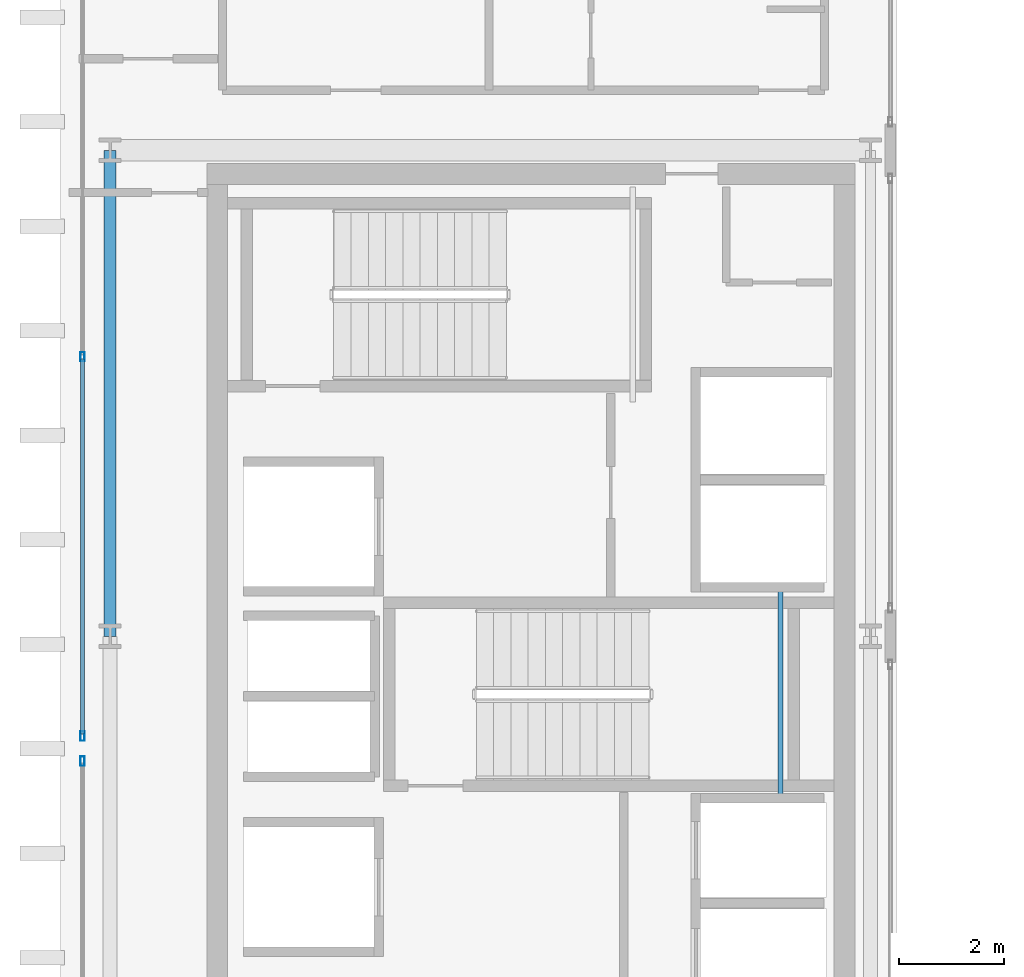
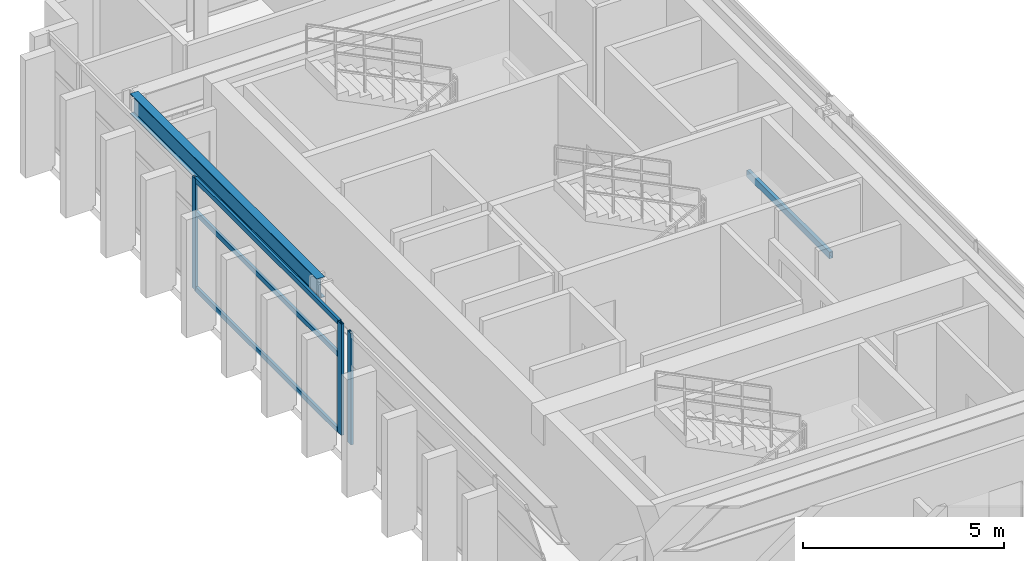
# One storey, part 5 of 25: 6 members, 2 beams, 2 elements without a shape of their own.
"""IFC4 building model written with IfcOpenShell, lengths in metres."""

from ifc_helpers import new_model, si_unit, direction, frame, origin, origin_2d, place, context, subcontext, project, spatial, hollow_rectangle, i_section, extrude, source, transform, mapped, material, layer, layer_set, material_profile, profile_set, type_object, element, aggregate, save


model = new_model("IFC4")

# Units and contexts
model_context = context("Model", 3, precision=1e-05, world=origin(), true_north=direction((0.0, 1.0)))
body_context = subcontext(model_context, "Body", "Model", "MODEL_VIEW")
ifc_project = project(units=[si_unit("LENGTHUNIT", "METRE"), si_unit("AREAUNIT", "SQUARE_METRE"), si_unit("VOLUMEUNIT", "CUBIC_METRE"), si_unit("PLANEANGLEUNIT", "RADIAN"), si_unit("MASSUNIT", "GRAM", prefix="KILO")], contexts=[model_context])

# Site, building, storey
site_placement = place(None, origin())
site = spatial("IfcSite", under=ifc_project, at=site_placement, CompositionType="ELEMENT")
building_placement = place(site_placement, origin())
building = spatial("IfcBuilding", under=site, at=building_placement, Name="Ocotamira Hotel", CompositionType="ELEMENT")
storey_placement = place(building_placement, frame((0.0, 0.0, 261.60009765625)))
storey = spatial("IfcBuildingStorey", under=building, at=storey_placement, Name="L66", CompositionType="ELEMENT", Elevation=261.60009765625)

# Beams
ifc_material_1 = material(Name="Steel ASTM A500 Grade C", Category="steel")
ifc_material_profile_1 = material_profile(ifc_material_1, hollow_rectangle(XDim=0.10009765625, YDim=0.199951171875, WallThickness=0.008056640625, at=origin_2d()), Name="HSS200X100X8")
ifc_profile_set_1 = profile_set([ifc_material_profile_1], Name="Steel ASTM A500 Grade C")
beam_type_1 = type_object("IfcBeamType", Name="BM-STLDG-HSS200", PredefinedType="BEAM", material=ifc_profile_set_1)
shared_shape_1 = source(origin(), body_context, "Body", "SweptSolid", [
    extrude(hollow_rectangle(XDim=0.10009765625, YDim=0.199951171875, WallThickness=0.008056640625, at=origin_2d()), origin(), (0.0, 0.0, 1.0), 4.1201171875),
])
beam_1_placement = place(storey_placement, frame((21.780029296875, 24.97998046875, 1.5), z_axis=(0.0, 1.0, 0.0), x_axis=(-1.0, 0.0, 0.0)))
element("IfcBeam", 1, at=beam_1_placement, inside=storey, type_object=beam_type_1, Name="L66 Stair ST-3 Landing Bearer 1", PredefinedType="BEAM", context=body_context, shape_type="MappedRepresentation", body=[
    mapped(shared_shape_1, transform((0.0, 0.0, 0.0), scale=1.0)),
])
ifc_material_2 = material(Name="Steel ASTM A992 Grade 50", Category="steel")
ifc_material_profile_2 = material_profile(ifc_material_2, i_section(OverallWidth=0.22998046875, OverallDepth=0.616943359375, WebThickness=0.01318359375, FlangeThickness=0.022216796875, FilletRadius=0.012939453125, at=origin_2d()), Name="W24X94")
ifc_profile_set_2 = profile_set([ifc_material_profile_2], Name="Steel ASTM A992 Grade 50")
beam_type_2 = type_object("IfcBeamType", Name="BM-PRIM-W24X94", PredefinedType="BEAM", material=ifc_profile_set_2)
shared_shape_2 = source(origin(), body_context, "Body", "SweptSolid", [
    extrude(i_section(OverallWidth=0.22998046875, OverallDepth=0.616943359375, WebThickness=0.01318359375, FlangeThickness=0.022216796875, FilletRadius=0.012939453125, at=origin_2d()), origin(), (0.0, 0.0, 1.0), 9.300048828125),
])
beam_2_placement = place(storey_placement, frame((8.949951171875, 28.14990234375, 3.0712890625), z_axis=(0.0, 1.0, 0.0), x_axis=(-1.0, 0.0, 0.0)))
element("IfcBeam", 2, at=beam_2_placement, inside=storey, type_object=beam_type_2, Name="L66 Beam X8.95 Y28.15-37.45", PredefinedType="BEAM", context=body_context, shape_type="MappedRepresentation", body=[
    mapped(shared_shape_2, transform((0.0, 0.0, 0.0), scale=1.0)),
])

# Curtain wall, member
ifc_material_3 = material(Name="Anodised pale-metal aluminium and solar glass", Category="aluminium")
ifc_layer = layer(ifc_material_3, 0.2099609375)
ifc_layer_set = layer_set([ifc_layer], Name="Anodised pale-metal aluminium and solar glass")
curtain_wall_type = type_object("IfcCurtainWallType", Name="CW-SYS7-PEAK", PredefinedType="NOTDEFINED", material=ifc_layer_set)
curtain_wall_1_placement = place(storey_placement, origin())
curtain_wall_1 = element("IfcCurtainWall", 3, at=curtain_wall_1_placement, inside=storey, type_object=curtain_wall_type, Name="L66 Curtain Wall CW-7 CW-L66-WO1", PredefinedType="NOTDEFINED")
ifc_material_4 = material(Name="Anodised pale-metal aluminium 6063-T6", Category="aluminium")
ifc_material_profile_3 = material_profile(ifc_material_4, hollow_rectangle(XDim=0.080078125, YDim=0.179931640625, WallThickness=0.006103515625, at=origin_2d()), Name="HSS180X80X6")
ifc_profile_set_3 = profile_set([ifc_material_profile_3], Name="Anodised pale-metal aluminium 6063-T6")
member_type_1 = type_object("IfcMemberType", Name="CWM-180X75", PredefinedType="MULLION", material=ifc_profile_set_3)
shared_shape_3 = source(origin(), body_context, "Body", "SweptSolid", [
    extrude(hollow_rectangle(XDim=0.080078125, YDim=0.179931640625, WallThickness=0.006103515625, at=origin_2d()), origin(), (0.0, 0.0, 1.0), 3.3798828125),
])
member_1_placement = place(storey_placement, frame((8.419921875, 25.760009765625, 0.0), z_axis=(0.0, 0.0, 1.0), x_axis=(-1.0, 0.0, 0.0)))
member_1 = element("IfcMember", 4, at=member_1_placement, type_object=member_type_1, Name="CW-7 mullion 3", PredefinedType="MULLION", context=body_context, shape_type="MappedRepresentation", body=[
    mapped(shared_shape_3, transform((0.0, 0.0, 0.0), scale=1.0)),
])
aggregate(curtain_wall_1, [member_1])

# Curtain wall, members
curtain_wall_2_placement = place(storey_placement, origin())
curtain_wall_2 = element("IfcCurtainWall", 5, at=curtain_wall_2_placement, inside=storey, type_object=curtain_wall_type, Name="L66 Curtain Wall CW-7 CW-L66-WO2", PredefinedType="NOTDEFINED")
member_2_placement = place(storey_placement, frame((8.419921875, 26.239990234375, 0.0), z_axis=(0.0, 0.0, 1.0), x_axis=(-1.0, 0.0, 0.0)))
member_2 = element("IfcMember", 6, at=member_2_placement, type_object=member_type_1, Name="CW-7 mullion 1", PredefinedType="MULLION", context=body_context, shape_type="MappedRepresentation", body=[
    mapped(shared_shape_3, transform((0.0, 0.0, 0.0), scale=1.0)),
])
member_3_placement = place(storey_placement, frame((8.419921875, 33.5, 0.0), z_axis=(0.0, 0.0, 1.0), x_axis=(-1.0, 0.0, 0.0)))
member_3 = element("IfcMember", 7, at=member_3_placement, type_object=member_type_1, Name="CW-7 mullion 2", PredefinedType="MULLION", context=body_context, shape_type="MappedRepresentation", body=[
    mapped(shared_shape_3, transform((0.0, 0.0, 0.0), scale=1.0)),
])
ifc_material_profile_4 = material_profile(ifc_material_4, hollow_rectangle(XDim=0.074951171875, YDim=0.14990234375, WallThickness=0.006103515625, at=origin_2d()), Name="HSS150X75X6")
ifc_profile_set_4 = profile_set([ifc_material_profile_4], Name="Anodised pale-metal aluminium 6063-T6")
member_type_2 = type_object("IfcMemberType", Name="CWT-150X75", PredefinedType="USERDEFINED", material=ifc_profile_set_4)
shared_shape_4 = source(origin(), body_context, "Body", "SweptSolid", [
    extrude(hollow_rectangle(XDim=0.074951171875, YDim=0.14990234375, WallThickness=0.006103515625, at=origin_2d()), origin(), (0.0, 0.0, 1.0), 7.179931640625),
])
member_4_placement = place(storey_placement, frame((8.419921875, 26.280029296875, 0.037353515625), z_axis=(0.0, 1.0, 0.0), x_axis=(-1.0, 0.0, 0.0)))
member_4 = element("IfcMember", 8, at=member_4_placement, type_object=member_type_2, Name="CW-7 transom 1.1", ObjectType="TRANSOM", PredefinedType="USERDEFINED", context=body_context, shape_type="MappedRepresentation", body=[
    mapped(shared_shape_4, transform((0.0, 0.0, 0.0), scale=1.0)),
])
member_5_placement = place(storey_placement, frame((8.419921875, 26.280029296875, 2.349853515625), z_axis=(0.0, 1.0, 0.0), x_axis=(-1.0, 0.0, 0.0)))
member_5 = element("IfcMember", 9, at=member_5_placement, type_object=member_type_2, Name="CW-7 transom 1.2", ObjectType="TRANSOM", PredefinedType="USERDEFINED", context=body_context, shape_type="MappedRepresentation", body=[
    mapped(shared_shape_4, transform((0.0, 0.0, 0.0), scale=1.0)),
])
member_6_placement = place(storey_placement, frame((8.419921875, 26.280029296875, 3.34228515625), z_axis=(0.0, 1.0, 0.0), x_axis=(-1.0, 0.0, 0.0)))
member_6 = element("IfcMember", 10, at=member_6_placement, type_object=member_type_2, Name="CW-7 transom 1.3", ObjectType="TRANSOM", PredefinedType="USERDEFINED", context=body_context, shape_type="MappedRepresentation", body=[
    mapped(shared_shape_4, transform((0.0, 0.0, 0.0), scale=1.0)),
])
aggregate(curtain_wall_2, [member_2, member_3, member_4, member_5, member_6])

save(model, "model.ifc")
